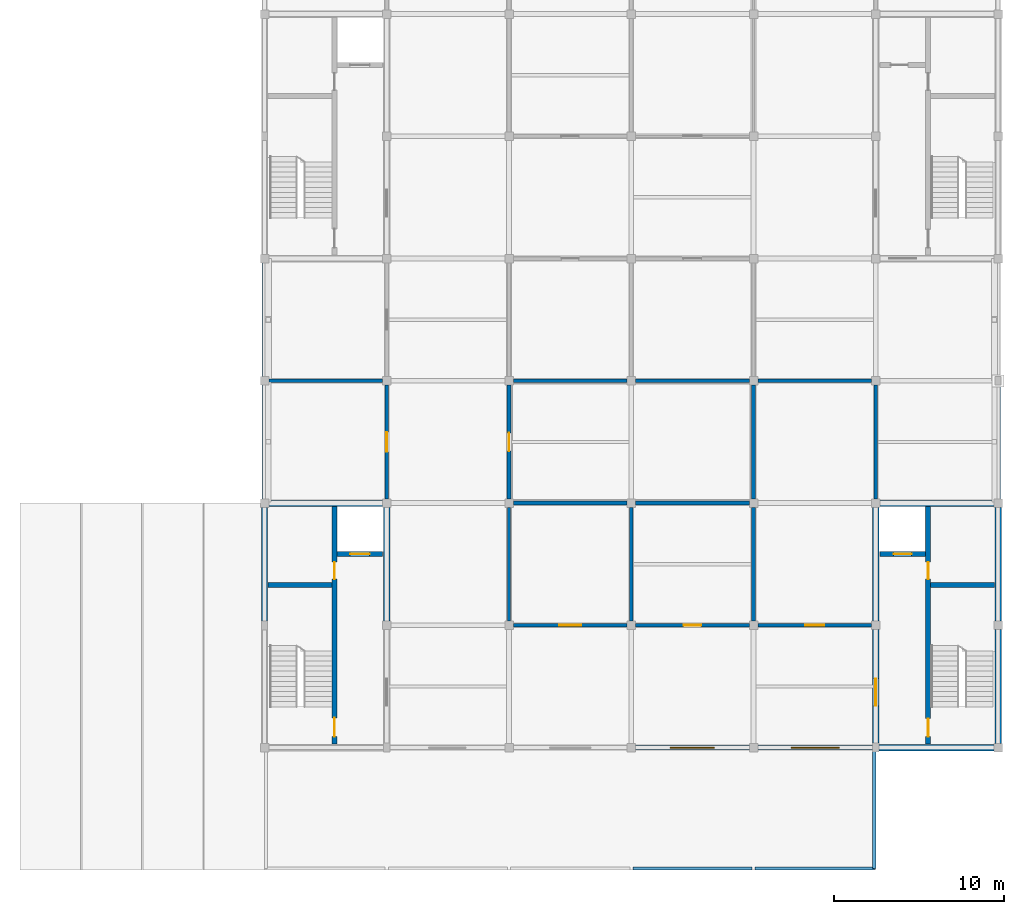
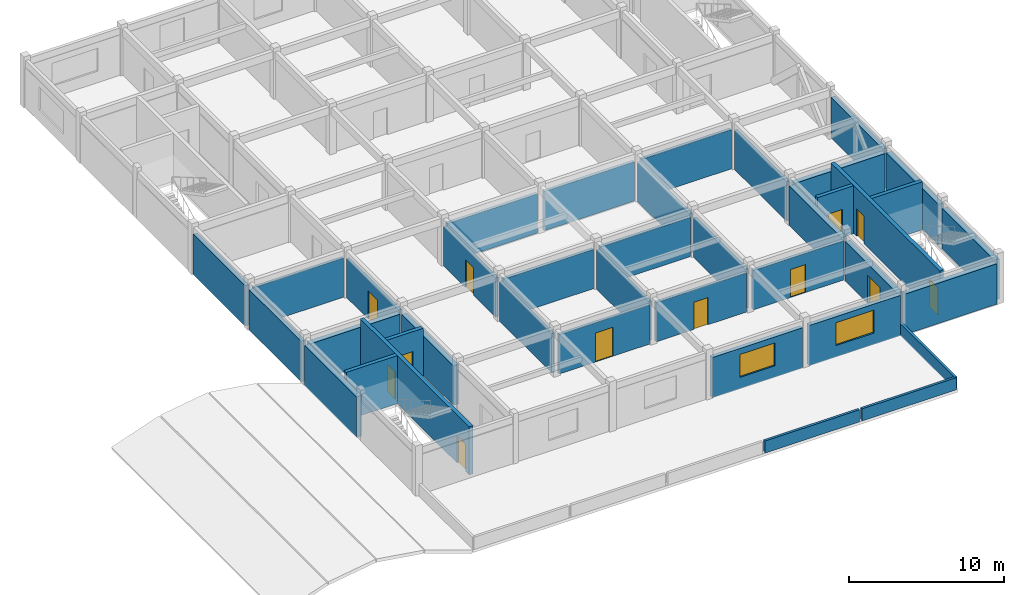
# One storey, part 3 of 6: 39 walls, 12 doors, 2 windows, 14 openings.
"""IFC4 building model written with IfcOpenShell, lengths in metres."""

from ifc_helpers import new_model, si_unit, direction, frame, frame_2d, origin, place, context, subcontext, project, spatial, rectangle, extrude, material, layer, layer_set, type_object, element, fill, save


model = new_model("IFC4")

# Units and contexts
model_context = context("Model", 3, precision=1e-05, world=origin(), true_north=direction((0.0, 1.0)))
body_context = subcontext(model_context, "Body", "Model", "MODEL_VIEW")
ifc_project = project(units=[si_unit("LENGTHUNIT", "METRE"), si_unit("AREAUNIT", "SQUARE_METRE"), si_unit("VOLUMEUNIT", "CUBIC_METRE"), si_unit("PLANEANGLEUNIT", "RADIAN"), si_unit("MASSUNIT", "GRAM", prefix="KILO")], contexts=[model_context])

# Site, building, storey
site_placement = place(None, origin())
site = spatial("IfcSite", under=ifc_project, at=site_placement, CompositionType="ELEMENT")
building_placement = place(site_placement, origin())
building = spatial("IfcBuilding", under=site, at=building_placement, Name="Cendaluz Park School", CompositionType="ELEMENT")
storey_placement = place(building_placement, frame((0.0, 0.0, 55.0)))
storey = spatial("IfcBuildingStorey", under=building, at=storey_placement, Name="L13", CompositionType="ELEMENT", Elevation=55.0)

# Wall
ifc_material_1 = material(Name="Gypsum Plasterboard on Cold-Formed Stud", Category="gypsum")
ifc_layer_1 = layer(ifc_material_1, 0.199951171875)
ifc_layer_set_1 = layer_set([ifc_layer_1], Name="Gypsum Plasterboard on Cold-Formed Stud")
wall_type_1 = type_object("IfcWallType", Name="W-AC20", PredefinedType="PARTITIONING", material=ifc_layer_set_1)
wall_1_placement = place(storey_placement, frame((65.050048828125, 36.0, 0.0), z_axis=(0.0, 0.0, 1.0), x_axis=(1.0, 0.0, 0.0)))
element("IfcWall", 1, at=wall_1_placement, inside=storey, type_object=wall_type_1, Name="WL-FN-BK9", PredefinedType="PARTITIONING", context=body_context, shape_type="SweptSolid", body=[
    extrude(rectangle(XDim=6.699951171875, YDim=0.199951171875, at=frame_2d((3.35009765625, 0.0))), origin(), (0.0, 0.0, 1.0), 3.090087890625),
])

# Wall, opening, door
wall_2_placement = place(storey_placement, frame((72.0, 29.050048828125, 0.0), z_axis=(0.0, 0.0, 1.0), x_axis=(0.0, 1.0, 0.0)))
wall_2 = element("IfcWall", 2, at=wall_2_placement, inside=storey, type_object=wall_type_1, Name="WL-FN-BL0", PredefinedType="PARTITIONING", context=body_context, shape_type="SweptSolid", body=[
    extrude(rectangle(XDim=6.699951171875, YDim=0.199951171875, at=frame_2d((3.35009765625, 0.0))), origin(), (0.0, 0.0, 1.0), 3.090087890625),
])
opening_1_placement = place(wall_2_placement, frame((2.77001953125, 0.0, 0.0)))
opening_1 = element("IfcOpeningElement", 3, at=opening_1_placement, cuts=wall_2, Name="Opening DCL-07", PredefinedType="OPENING", context=body_context, shape_type="SweptSolid", body=[
    extrude(rectangle(XDim=1.159912109375, YDim=2.219970703125, at=frame_2d((0.580078125, 1.10986328125))), frame((0.0, 0.112060546875, 0.0), z_axis=(0.0, -1.0, 0.0), x_axis=(1.0, 0.0, 0.0)), (0.0, 0.0, 1.0), 0.223876953125),
])
ifc_material_2 = material(Name="Solid Core Hardwood", Category="wood")
door_type_1 = type_object("IfcDoorType", Name="DCL-07", OperationType="NOTDEFINED", PredefinedType="DOOR", material=ifc_material_2)
door_1_placement = place(opening_1_placement, origin())
door_1 = element("IfcDoor", 4, at=door_1_placement, inside=storey, type_object=door_type_1, Name="D-L13-020", OperationType="SINGLE_SWING_LEFT", OverallHeight=2.219970703125, OverallWidth=1.159912109375, PredefinedType="DOOR", context=body_context, shape_type="SweptSolid", body=[
    extrude(rectangle(XDim=1.159912109375, YDim=2.219970703125, at=frame_2d((0.580078125, 1.10986328125))), frame((0.0, 0.02490234375, 0.0), z_axis=(0.0, -1.0, 0.0), x_axis=(1.0, 0.0, 0.0)), (0.0, 0.0, 1.0), 0.050048828125),
])
fill(opening_1, door_1)

wall_3_placement = place(storey_placement, frame((79.449951171875, 21.60009765625, 0.0), z_axis=(0.0, 0.0, 1.0), x_axis=(1.0, 0.0, 0.0)))
wall_3 = element("IfcWall", 5, at=wall_3_placement, inside=storey, type_object=wall_type_1, Name="WL-FN-BL3", PredefinedType="PARTITIONING", context=body_context, shape_type="SweptSolid", body=[
    extrude(rectangle(XDim=6.699951171875, YDim=0.199951171875, at=frame_2d((3.35009765625, 0.0))), origin(), (0.0, 0.0, 1.0), 3.090087890625),
])
opening_2_placement = place(wall_3_placement, frame((2.7099609375, 0.0, 0.0)))
opening_2 = element("IfcOpeningElement", 6, at=opening_2_placement, cuts=wall_3, Name="Opening DCL-10", PredefinedType="OPENING", context=body_context, shape_type="SweptSolid", body=[
    extrude(rectangle(XDim=1.280029296875, YDim=2.280029296875, at=frame_2d((0.64013671875, 1.14013671875))), frame((0.0, 0.112060546875, 0.0), z_axis=(0.0, -1.0, 0.0), x_axis=(1.0, 0.0, 0.0)), (0.0, 0.0, 1.0), 0.223876953125),
])
door_type_2 = type_object("IfcDoorType", Name="DCL-10", OperationType="NOTDEFINED", PredefinedType="DOOR", material=ifc_material_2)
door_2_placement = place(opening_2_placement, origin())
door_2 = element("IfcDoor", 7, at=door_2_placement, inside=storey, type_object=door_type_2, Name="D-L13-023", OperationType="SINGLE_SWING_RIGHT", OverallHeight=2.280029296875, OverallWidth=1.280029296875, PredefinedType="DOOR", context=body_context, shape_type="SweptSolid", body=[
    extrude(rectangle(XDim=1.280029296875, YDim=2.280029296875, at=frame_2d((0.64013671875, 1.14013671875))), frame((0.0, 0.02490234375, 0.0), z_axis=(0.0, -1.0, 0.0), x_axis=(1.0, 0.0, 0.0)), (0.0, 0.0, 1.0), 0.050048828125),
])
fill(opening_2, door_2)

# Walls
for number, where, z_axis, x_axis, name in (
    (8, (79.199951171875, 21.85009765625, 0.0), (0.0, 0.0, 1.0), (0.0, 1.0, 0.0), "WL-FN-BL4"),
    (9, (86.39990234375, 21.85009765625, 0.0), (0.0, 0.0, 1.0), (0.0, 1.0, 0.0), "WL-FN-BL5"),
):
    element("IfcWall", number, at=place(storey_placement, frame(where, z_axis=z_axis, x_axis=x_axis)), inside=storey, type_object=wall_type_1, Name=name, PredefinedType="PARTITIONING", context=body_context, shape_type="SweptSolid", body=[
        extrude(rectangle(XDim=6.699951171875, YDim=0.199951171875, at=frame_2d((3.35009765625, 0.0))), origin(), (0.0, 0.0, 1.0), 3.090087890625),
    ])

# Wall, opening, door
wall_4_placement = place(storey_placement, frame((86.64990234375, 21.60009765625, 0.0), z_axis=(0.0, 0.0, 1.0), x_axis=(1.0, 0.0, 0.0)))
wall_4 = element("IfcWall", 10, at=wall_4_placement, inside=storey, type_object=wall_type_1, Name="WL-FN-BM4", PredefinedType="PARTITIONING", context=body_context, shape_type="SweptSolid", body=[
    extrude(rectangle(XDim=6.7001953125, YDim=0.199951171875, at=frame_2d((3.35009765625, 0.0))), origin(), (0.0, 0.0, 1.0), 3.090087890625),
])
opening_3_placement = place(wall_4_placement, frame((2.830078125, 0.0, 0.0)))
opening_3 = element("IfcOpeningElement", 11, at=opening_3_placement, cuts=wall_4, Name="Opening DCL-03", PredefinedType="OPENING", context=body_context, shape_type="SweptSolid", body=[
    extrude(rectangle(XDim=1.0400390625, YDim=2.139892578125, at=frame_2d((0.52001953125, 1.06982421875))), frame((0.0, 0.112060546875, 0.0), z_axis=(0.0, -1.0, 0.0), x_axis=(1.0, 0.0, 0.0)), (0.0, 0.0, 1.0), 0.223876953125),
])
door_type_3 = type_object("IfcDoorType", Name="DCL-03", OperationType="NOTDEFINED", PredefinedType="DOOR", material=ifc_material_2)
door_3_placement = place(opening_3_placement, origin())
door_3 = element("IfcDoor", 12, at=door_3_placement, inside=storey, type_object=door_type_3, Name="D-L13-026", OperationType="SINGLE_SWING_LEFT", OverallHeight=2.139892578125, OverallWidth=1.0400390625, PredefinedType="DOOR", context=body_context, shape_type="SweptSolid", body=[
    extrude(rectangle(XDim=1.0400390625, YDim=2.139892578125, at=frame_2d((0.52001953125, 1.06982421875))), frame((0.0, 0.02490234375, 0.0), z_axis=(0.0, -1.0, 0.0), x_axis=(1.0, 0.0, 0.0)), (0.0, 0.0, 1.0), 0.050048828125),
])
fill(opening_3, door_3)

# Walls
ifc_material_3 = material(Name="Cross-laminated timber CLT C24", Category="wood")
ifc_layer_2 = layer(ifc_material_3, 0.300048828125)
ifc_layer_set_2 = layer_set([ifc_layer_2], Name="Cross-laminated timber CLT C24")
wall_type_2 = type_object("IfcWallType", Name="W-EX30", PredefinedType="SOLIDWALL", material=ifc_layer_set_2)
for number, where, z_axis, x_axis, name in (
    (13, (64.800048828125, 29.050048828125, 0.0), (0.0, 0.0, 1.0), (0.0, 1.0, 0.0), "WL-FN-AA0"),
    (14, (64.800048828125, 36.25, 0.0), (0.0, 0.0, 1.0), (0.0, 1.0, 0.0), "WL-FN-AA1"),
):
    element("IfcWall", number, at=place(storey_placement, frame(where, z_axis=z_axis, x_axis=x_axis)), inside=storey, type_object=wall_type_2, Name=name, PredefinedType="SOLIDWALL", context=body_context, shape_type="SweptSolid", body=[
        extrude(rectangle(XDim=6.699951171875, YDim=0.300048828125, at=frame_2d((3.35009765625, 0.0))), origin(), (0.0, 0.0, 1.0), 3.169921875),
    ])

# Wall, opening, window
wall_5_placement = place(storey_placement, frame((86.64990234375, 14.39990234375, 0.0), z_axis=(0.0, 0.0, 1.0), x_axis=(1.0, 0.0, 0.0)))
wall_5 = element("IfcWall", 15, at=wall_5_placement, inside=storey, type_object=wall_type_2, Name="WL-FN-AA8", PredefinedType="SOLIDWALL", context=body_context, shape_type="SweptSolid", body=[
    extrude(rectangle(XDim=6.7001953125, YDim=0.300048828125, at=frame_2d((3.35009765625, 0.0))), origin(), (0.0, 0.0, 1.0), 3.169921875),
])
opening_4_placement = place(wall_5_placement, frame((2.050048828125, 0.0, 0.89990234375)))
opening_4 = element("IfcOpeningElement", 16, at=opening_4_placement, cuts=wall_5, Name="Opening WN-05", PredefinedType="OPENING", context=body_context, shape_type="SweptSolid", body=[
    extrude(rectangle(XDim=2.60009765625, YDim=1.800048828125, at=frame_2d((1.300048828125, 0.89990234375))), frame((0.0, 0.162109375, 0.0), z_axis=(0.0, -1.0, 0.0), x_axis=(1.0, 0.0, 0.0)), (0.0, 0.0, 1.0), 0.323974609375),
])
ifc_material_4 = material(Name="Tempered Low-E Double Glazing", Category="glass")
window_type_1 = type_object("IfcWindowType", Name="WN-05", PartitioningType="SINGLE_PANEL", PredefinedType="WINDOW", material=ifc_material_4)
window_1_placement = place(opening_4_placement, origin())
window_1 = element("IfcWindow", 17, at=window_1_placement, inside=storey, type_object=window_type_1, Name="WN-L13-007", OverallHeight=1.800048828125, OverallWidth=2.60009765625, PartitioningType="SINGLE_PANEL", PredefinedType="WINDOW", context=body_context, shape_type="SweptSolid", body=[
    extrude(rectangle(XDim=2.60009765625, YDim=1.800048828125, at=frame_2d((1.300048828125, 0.89990234375))), frame((0.0, 0.030029296875, 0.0), z_axis=(0.0, -1.0, 0.0), x_axis=(1.0, 0.0, 0.0)), (0.0, 0.0, 1.0), 0.06005859375),
])
fill(opening_4, window_1)

wall_6_placement = place(storey_placement, frame((93.85009765625, 14.39990234375, 0.0), z_axis=(0.0, 0.0, 1.0), x_axis=(1.0, 0.0, 0.0)))
wall_6 = element("IfcWall", 18, at=wall_6_placement, inside=storey, type_object=wall_type_2, Name="WL-FN-AB0", PredefinedType="SOLIDWALL", context=body_context, shape_type="SweptSolid", body=[
    extrude(rectangle(XDim=6.77001953125, YDim=0.300048828125, at=frame_2d((3.385009765625, 0.0))), origin(), (0.0, 0.0, 1.0), 3.169921875),
])
opening_5_placement = place(wall_6_placement, frame((1.985107421875, 0.0, 0.89990234375)))
opening_5 = element("IfcOpeningElement", 19, at=opening_5_placement, cuts=wall_6, Name="Opening WN-06", PredefinedType="OPENING", context=body_context, shape_type="SweptSolid", body=[
    extrude(rectangle(XDim=2.800048828125, YDim=1.800048828125, at=frame_2d((1.39990234375, 0.89990234375))), frame((0.0, 0.162109375, 0.0), z_axis=(0.0, -1.0, 0.0), x_axis=(1.0, 0.0, 0.0)), (0.0, 0.0, 1.0), 0.323974609375),
])
window_type_2 = type_object("IfcWindowType", Name="WN-06", PartitioningType="SINGLE_PANEL", PredefinedType="WINDOW", material=ifc_material_4)
window_2_placement = place(opening_5_placement, origin())
window_2 = element("IfcWindow", 20, at=window_2_placement, inside=storey, type_object=window_type_2, Name="WN-L13-009", OverallHeight=1.800048828125, OverallWidth=2.800048828125, PartitioningType="SINGLE_PANEL", PredefinedType="WINDOW", context=body_context, shape_type="SweptSolid", body=[
    extrude(rectangle(XDim=2.800048828125, YDim=1.800048828125, at=frame_2d((1.39990234375, 0.89990234375))), frame((0.0, 0.030029296875, 0.0), z_axis=(0.0, -1.0, 0.0), x_axis=(1.0, 0.0, 0.0)), (0.0, 0.0, 1.0), 0.06005859375),
])
fill(opening_5, window_2)

# Wall
wall_7_placement = place(storey_placement, frame((108.0, 29.050048828125, 0.0), z_axis=(0.0, 0.0, 1.0), x_axis=(0.0, 1.0, 0.0)))
element("IfcWall", 21, at=wall_7_placement, inside=storey, type_object=wall_type_2, Name="WL-FN-AB2", PredefinedType="SOLIDWALL", context=body_context, shape_type="SweptSolid", body=[
    extrude(rectangle(XDim=6.68994140625, YDim=0.300048828125, at=frame_2d((3.344970703125, 0.0))), origin(), (0.0, 0.0, 1.0), 3.169921875),
])

# Wall, openings, doors
ifc_material_5 = material(Name="Concrete C40/50", Category="concrete")
ifc_layer_3 = layer(ifc_material_5, 0.280029296875)
ifc_layer_set_3 = layer_set([ifc_layer_3], Name="Concrete C40/50")
wall_type_3 = type_object("IfcWallType", Name="W-FW28", PredefinedType="SHEAR", material=ifc_layer_set_3)
wall_8_placement = place(storey_placement, frame((68.919921875, 14.60009765625, 0.0), z_axis=(0.0, 0.0, 1.0), x_axis=(0.0, 1.0, 0.0)))
wall_8 = element("IfcWall", 22, at=wall_8_placement, inside=storey, type_object=wall_type_3, Name="WL-FN-BG9", PredefinedType="SHEAR", context=body_context, shape_type="SweptSolid", body=[
    extrude(rectangle(XDim=14.0, YDim=0.280029296875, at=frame_2d((7.0, 0.0))), origin(), (0.0, 0.0, 1.0), 3.77001953125),
])
opening_6_placement = place(wall_8_placement, frame((0.449951171875, 0.0, 0.0)))
opening_6 = element("IfcOpeningElement", 23, at=opening_6_placement, cuts=wall_8, Name="Opening DST-01", PredefinedType="OPENING", context=body_context, shape_type="SweptSolid", body=[
    extrude(rectangle(XDim=1.10009765625, YDim=2.14990234375, at=frame_2d((0.550048828125, 1.074951171875))), frame((0.0, 0.152099609375, 0.0), z_axis=(0.0, -1.0, 0.0), x_axis=(1.0, 0.0, 0.0)), (0.0, 0.0, 1.0), 0.303955078125),
])
opening_7_placement = place(wall_8_placement, frame((9.719970703125, 0.0, 0.0)))
opening_7 = element("IfcOpeningElement", 24, at=opening_7_placement, cuts=wall_8, Name="Opening DFC-01", PredefinedType="OPENING", context=body_context, shape_type="SweptSolid", body=[
    extrude(rectangle(XDim=1.0, YDim=2.14990234375, at=frame_2d((0.5, 1.074951171875))), frame((0.0, 0.152099609375, 0.0), z_axis=(0.0, -1.0, 0.0), x_axis=(1.0, 0.0, 0.0)), (0.0, 0.0, 1.0), 0.303955078125),
])
door_type_4 = type_object("IfcDoorType", Name="DFC-01", OperationType="NOTDEFINED", PredefinedType="DOOR", material=ifc_material_2)
door_4_placement = place(opening_7_placement, origin())
door_4 = element("IfcDoor", 25, at=door_4_placement, inside=storey, type_object=door_type_4, Name="D-L13-003", OperationType="SINGLE_SWING_LEFT", OverallHeight=2.14990234375, OverallWidth=1.0, PredefinedType="DOOR", context=body_context, shape_type="SweptSolid", body=[
    extrude(rectangle(XDim=1.0, YDim=2.14990234375, at=frame_2d((0.5, 1.074951171875))), frame((0.0, 0.02490234375, 0.0), z_axis=(0.0, -1.0, 0.0), x_axis=(1.0, 0.0, 0.0)), (0.0, 0.0, 1.0), 0.050048828125),
])
fill(opening_7, door_4)
door_type_5 = type_object("IfcDoorType", Name="DST-01", OperationType="NOTDEFINED", PredefinedType="DOOR", material=ifc_material_2)
door_5_placement = place(opening_6_placement, origin())
door_5 = element("IfcDoor", 26, at=door_5_placement, inside=storey, type_object=door_type_5, Name="D-L13-002", OperationType="SINGLE_SWING_LEFT", OverallHeight=2.14990234375, OverallWidth=1.10009765625, PredefinedType="DOOR", context=body_context, shape_type="SweptSolid", body=[
    extrude(rectangle(XDim=1.10009765625, YDim=2.14990234375, at=frame_2d((0.550048828125, 1.074951171875))), frame((0.0, 0.02490234375, 0.0), z_axis=(0.0, -1.0, 0.0), x_axis=(1.0, 0.0, 0.0)), (0.0, 0.0, 1.0), 0.050048828125),
])
fill(opening_6, door_5)

# Wall
wall_9_placement = place(storey_placement, frame((65.0, 23.97998046875, 0.0), z_axis=(0.0, 0.0, 1.0), x_axis=(1.0, 0.0, 0.0)))
element("IfcWall", 27, at=wall_9_placement, inside=storey, type_object=wall_type_3, Name="WL-FN-BH0", PredefinedType="SHEAR", context=body_context, shape_type="SweptSolid", body=[
    extrude(rectangle(XDim=3.780029296875, YDim=0.280029296875, at=frame_2d((1.89013671875, 0.0))), origin(), (0.0, 0.0, 1.0), 3.77001953125),
])

# Wall, opening, door
wall_10_placement = place(storey_placement, frame((69.080078125, 25.800048828125, 0.0), z_axis=(0.0, 0.0, 1.0), x_axis=(1.0, 0.0, 0.0)))
wall_10 = element("IfcWall", 28, at=wall_10_placement, inside=storey, type_object=wall_type_3, Name="WL-FN-BH1", PredefinedType="SHEAR", context=body_context, shape_type="SweptSolid", body=[
    extrude(rectangle(XDim=2.679931640625, YDim=0.280029296875, at=frame_2d((1.33984375, 0.0))), origin(), (0.0, 0.0, 1.0), 3.77001953125),
])
opening_8_placement = place(wall_10_placement, frame((0.764892578125, 0.0, 0.0)))
opening_8 = element("IfcOpeningElement", 29, at=opening_8_placement, cuts=wall_10, Name="Opening LD-01", PredefinedType="OPENING", context=body_context, shape_type="SweptSolid", body=[
    extrude(rectangle(XDim=1.14990234375, YDim=2.199951171875, at=frame_2d((0.574951171875, 1.10009765625))), frame((0.0, 0.152099609375, 0.0), z_axis=(0.0, -1.0, 0.0), x_axis=(1.0, 0.0, 0.0)), (0.0, 0.0, 1.0), 0.303955078125),
])
ifc_material_6 = material(Name="Stainless Steel 316L", Category="steel")
door_type_6 = type_object("IfcDoorType", Name="LD-01", OperationType="DOUBLE_DOOR_SLIDING", PredefinedType="DOOR", material=ifc_material_6)
door_6_placement = place(opening_8_placement, frame((1.14990234375, 0.0, 0.0), z_axis=(0.0, 0.0, 1.0), x_axis=(-1.0, 0.0, 0.0)))
door_6 = element("IfcDoor", 30, at=door_6_placement, inside=storey, type_object=door_type_6, Name="D-L13-004", OperationType="DOUBLE_DOOR_SLIDING", OverallHeight=2.199951171875, OverallWidth=1.14990234375, PredefinedType="DOOR", context=body_context, shape_type="SweptSolid", body=[
    extrude(rectangle(XDim=1.14990234375, YDim=2.199951171875, at=frame_2d((0.574951171875, 1.10009765625))), frame((0.0, 0.02490234375, 0.0), z_axis=(0.0, -1.0, 0.0), x_axis=(1.0, 0.0, 0.0)), (0.0, 0.0, 1.0), 0.050048828125),
])
fill(opening_8, door_6)

# Wall, openings, doors
wall_11_placement = place(storey_placement, frame((103.8798828125, 14.60009765625, 0.0), z_axis=(0.0, 0.0, 1.0), x_axis=(0.0, 1.0, 0.0)))
wall_11 = element("IfcWall", 31, at=wall_11_placement, inside=storey, type_object=wall_type_3, Name="WL-FN-BH8", PredefinedType="SHEAR", context=body_context, shape_type="SweptSolid", body=[
    extrude(rectangle(XDim=14.0, YDim=0.280029296875, at=frame_2d((7.0, 0.0))), origin(), (0.0, 0.0, 1.0), 3.77001953125),
])
opening_9_placement = place(wall_11_placement, frame((0.449951171875, 0.0, 0.0)))
opening_9 = element("IfcOpeningElement", 32, at=opening_9_placement, cuts=wall_11, Name="Opening DST-02", PredefinedType="OPENING", context=body_context, shape_type="SweptSolid", body=[
    extrude(rectangle(XDim=1.050048828125, YDim=2.14990234375, at=frame_2d((0.52490234375, 1.074951171875))), frame((0.0, 0.152099609375, 0.0), z_axis=(0.0, -1.0, 0.0), x_axis=(1.0, 0.0, 0.0)), (0.0, 0.0, 1.0), 0.303955078125),
])
opening_10_placement = place(wall_11_placement, frame((9.719970703125, 0.0, 0.0)))
opening_10 = element("IfcOpeningElement", 33, at=opening_10_placement, cuts=wall_11, Name="Opening DFC-01", PredefinedType="OPENING", context=body_context, shape_type="SweptSolid", body=[
    extrude(rectangle(XDim=1.0, YDim=2.14990234375, at=frame_2d((0.5, 1.074951171875))), frame((0.0, 0.152099609375, 0.0), z_axis=(0.0, -1.0, 0.0), x_axis=(1.0, 0.0, 0.0)), (0.0, 0.0, 1.0), 0.303955078125),
])
door_7_placement = place(opening_10_placement, frame((1.0, 0.0, 0.0), z_axis=(0.0, 0.0, 1.0), x_axis=(-1.0, 0.0, 0.0)))
door_7 = element("IfcDoor", 34, at=door_7_placement, inside=storey, type_object=door_type_4, Name="D-L13-007", OperationType="SINGLE_SWING_LEFT", OverallHeight=2.14990234375, OverallWidth=1.0, PredefinedType="DOOR", context=body_context, shape_type="SweptSolid", body=[
    extrude(rectangle(XDim=1.0, YDim=2.14990234375, at=frame_2d((0.5, 1.074951171875))), frame((0.0, 0.02490234375, 0.0), z_axis=(0.0, -1.0, 0.0), x_axis=(1.0, 0.0, 0.0)), (0.0, 0.0, 1.0), 0.050048828125),
])
fill(opening_10, door_7)
door_type_7 = type_object("IfcDoorType", Name="DST-02", OperationType="NOTDEFINED", PredefinedType="DOOR", material=ifc_material_2)
door_8_placement = place(opening_9_placement, frame((1.050048828125, 0.0, 0.0), z_axis=(0.0, 0.0, 1.0), x_axis=(-1.0, 0.0, 0.0)))
door_8 = element("IfcDoor", 35, at=door_8_placement, inside=storey, type_object=door_type_7, Name="D-L13-006", OperationType="SINGLE_SWING_RIGHT", OverallHeight=2.14990234375, OverallWidth=1.050048828125, PredefinedType="DOOR", context=body_context, shape_type="SweptSolid", body=[
    extrude(rectangle(XDim=1.050048828125, YDim=2.14990234375, at=frame_2d((0.52490234375, 1.074951171875))), frame((0.0, 0.02490234375, 0.0), z_axis=(0.0, -1.0, 0.0), x_axis=(1.0, 0.0, 0.0)), (0.0, 0.0, 1.0), 0.050048828125),
])
fill(opening_9, door_8)

# Wall
wall_12_placement = place(storey_placement, frame((104.02001953125, 23.97998046875, 0.0), z_axis=(0.0, 0.0, 1.0), x_axis=(1.0, 0.0, 0.0)))
element("IfcWall", 36, at=wall_12_placement, inside=storey, type_object=wall_type_3, Name="WL-FN-BH9", PredefinedType="SHEAR", context=body_context, shape_type="SweptSolid", body=[
    extrude(rectangle(XDim=3.780029296875, YDim=0.280029296875, at=frame_2d((1.89013671875, 0.0))), origin(), (0.0, 0.0, 1.0), 3.77001953125),
])

# Wall, opening, door
wall_13_placement = place(storey_placement, frame((101.0400390625, 25.800048828125, 0.0), z_axis=(0.0, 0.0, 1.0), x_axis=(1.0, 0.0, 0.0)))
wall_13 = element("IfcWall", 37, at=wall_13_placement, inside=storey, type_object=wall_type_3, Name="WL-FN-BI0", PredefinedType="SHEAR", context=body_context, shape_type="SweptSolid", body=[
    extrude(rectangle(XDim=2.679931640625, YDim=0.280029296875, at=frame_2d((1.33984375, 0.0))), origin(), (0.0, 0.0, 1.0), 3.77001953125),
])
opening_11_placement = place(wall_13_placement, frame((0.81494140625, 0.0, 0.0)))
opening_11 = element("IfcOpeningElement", 38, at=opening_11_placement, cuts=wall_13, Name="Opening LD-02", PredefinedType="OPENING", context=body_context, shape_type="SweptSolid", body=[
    extrude(rectangle(XDim=1.050048828125, YDim=2.199951171875, at=frame_2d((0.52490234375, 1.10009765625))), frame((0.0, 0.152099609375, 0.0), z_axis=(0.0, -1.0, 0.0), x_axis=(1.0, 0.0, 0.0)), (0.0, 0.0, 1.0), 0.303955078125),
])
door_type_8 = type_object("IfcDoorType", Name="LD-02", OperationType="DOUBLE_DOOR_SLIDING", PredefinedType="DOOR", material=ifc_material_6)
door_9_placement = place(opening_11_placement, frame((1.050048828125, 0.0, 0.0), z_axis=(0.0, 0.0, 1.0), x_axis=(-1.0, 0.0, 0.0)))
door_9 = element("IfcDoor", 39, at=door_9_placement, inside=storey, type_object=door_type_8, Name="D-L13-008", OperationType="DOUBLE_DOOR_SLIDING", OverallHeight=2.199951171875, OverallWidth=1.050048828125, PredefinedType="DOOR", context=body_context, shape_type="SweptSolid", body=[
    extrude(rectangle(XDim=1.050048828125, YDim=2.199951171875, at=frame_2d((0.52490234375, 1.10009765625))), frame((0.0, 0.02490234375, 0.0), z_axis=(0.0, -1.0, 0.0), x_axis=(1.0, 0.0, 0.0)), (0.0, 0.0, 1.0), 0.050048828125),
])
fill(opening_11, door_9)

# Walls
ifc_layer_4 = layer(ifc_material_1, 0.219970703125)
ifc_layer_set_4 = layer_set([ifc_layer_4], Name="Gypsum Plasterboard on Cold-Formed Stud")
wall_type_4 = type_object("IfcWallType", Name="W-LB22", PredefinedType="PARTITIONING", material=ifc_layer_set_4)
for number, where, z_axis, x_axis, name in (
    (40, (79.449951171875, 28.800048828125, 0.0), (0.0, 0.0, 1.0), (1.0, 0.0, 0.0), "WL-FN-BJ9"),
    (41, (79.449951171875, 36.0, 0.0), (0.0, 0.0, 1.0), (1.0, 0.0, 0.0), "WL-FN-BK0"),
):
    element("IfcWall", number, at=place(storey_placement, frame(where, z_axis=z_axis, x_axis=x_axis)), inside=storey, type_object=wall_type_4, Name=name, PredefinedType="PARTITIONING", context=body_context, shape_type="SweptSolid", body=[
        extrude(rectangle(XDim=6.699951171875, YDim=0.219970703125, at=frame_2d((3.35009765625, 0.0))), origin(), (0.0, 0.0, 1.0), 3.090087890625),
    ])

# Wall, opening, door
wall_14_placement = place(storey_placement, frame((79.199951171875, 29.050048828125, 0.0), z_axis=(0.0, 0.0, 1.0), x_axis=(0.0, 1.0, 0.0)))
wall_14 = element("IfcWall", 42, at=wall_14_placement, inside=storey, type_object=wall_type_4, Name="WL-FN-BK1", PredefinedType="PARTITIONING", context=body_context, shape_type="SweptSolid", body=[
    extrude(rectangle(XDim=6.699951171875, YDim=0.219970703125, at=frame_2d((3.35009765625, 0.0))), origin(), (0.0, 0.0, 1.0), 3.090087890625),
])
opening_12_placement = place(wall_14_placement, frame((2.81005859375, 0.0, 0.0)))
opening_12 = element("IfcOpeningElement", 43, at=opening_12_placement, cuts=wall_14, Name="Opening DCL-05", PredefinedType="OPENING", context=body_context, shape_type="SweptSolid", body=[
    extrude(rectangle(XDim=1.080078125, YDim=2.179931640625, at=frame_2d((0.5400390625, 1.08984375))), frame((0.0, 0.1220703125, 0.0), z_axis=(0.0, -1.0, 0.0), x_axis=(1.0, 0.0, 0.0)), (0.0, 0.0, 1.0), 0.243896484375),
])
door_type_9 = type_object("IfcDoorType", Name="DCL-05", OperationType="NOTDEFINED", PredefinedType="DOOR", material=ifc_material_2)
door_10_placement = place(opening_12_placement, origin())
door_10 = element("IfcDoor", 44, at=door_10_placement, inside=storey, type_object=door_type_9, Name="D-L13-018", OperationType="SINGLE_SWING_LEFT", OverallHeight=2.179931640625, OverallWidth=1.080078125, PredefinedType="DOOR", context=body_context, shape_type="SweptSolid", body=[
    extrude(rectangle(XDim=1.080078125, YDim=2.179931640625, at=frame_2d((0.5400390625, 1.08984375))), frame((0.0, 0.02490234375, 0.0), z_axis=(0.0, -1.0, 0.0), x_axis=(1.0, 0.0, 0.0)), (0.0, 0.0, 1.0), 0.050048828125),
])
fill(opening_12, door_10)

# Walls
for number, where, z_axis, x_axis, name in (
    (45, (86.64990234375, 28.800048828125, 0.0), (0.0, 0.0, 1.0), (1.0, 0.0, 0.0), "WL-FN-BK2"),
    (46, (86.64990234375, 36.0, 0.0), (0.0, 0.0, 1.0), (1.0, 0.0, 0.0), "WL-FN-BK3"),
):
    element("IfcWall", number, at=place(storey_placement, frame(where, z_axis=z_axis, x_axis=x_axis)), inside=storey, type_object=wall_type_4, Name=name, PredefinedType="PARTITIONING", context=body_context, shape_type="SweptSolid", body=[
        extrude(rectangle(XDim=6.7001953125, YDim=0.219970703125, at=frame_2d((3.35009765625, 0.0))), origin(), (0.0, 0.0, 1.0), 3.090087890625),
    ])
wall_15_placement = place(storey_placement, frame((93.60009765625, 29.050048828125, 0.0), z_axis=(0.0, 0.0, 1.0), x_axis=(0.0, 1.0, 0.0)))
element("IfcWall", 47, at=wall_15_placement, inside=storey, type_object=wall_type_4, Name="WL-FN-BK4", PredefinedType="PARTITIONING", context=body_context, shape_type="SweptSolid", body=[
    extrude(rectangle(XDim=6.699951171875, YDim=0.219970703125, at=frame_2d((3.35009765625, 0.0))), origin(), (0.0, 0.0, 1.0), 3.090087890625),
])

# Wall, opening, door
wall_16_placement = place(storey_placement, frame((93.85009765625, 21.60009765625, 0.0), z_axis=(0.0, 0.0, 1.0), x_axis=(1.0, 0.0, 0.0)))
wall_16 = element("IfcWall", 48, at=wall_16_placement, inside=storey, type_object=wall_type_4, Name="WL-FN-BK5", PredefinedType="PARTITIONING", context=body_context, shape_type="SweptSolid", body=[
    extrude(rectangle(XDim=6.699951171875, YDim=0.219970703125, at=frame_2d((3.35009765625, 0.0))), origin(), (0.0, 0.0, 1.0), 3.090087890625),
])
opening_13_placement = place(wall_16_placement, frame((2.7900390625, 0.0, 0.0)))
opening_13 = element("IfcOpeningElement", 49, at=opening_13_placement, cuts=wall_16, Name="Opening DCL-06", PredefinedType="OPENING", context=body_context, shape_type="SweptSolid", body=[
    extrude(rectangle(XDim=1.1201171875, YDim=2.199951171875, at=frame_2d((0.56005859375, 1.10009765625))), frame((0.0, 0.1220703125, 0.0), z_axis=(0.0, -1.0, 0.0), x_axis=(1.0, 0.0, 0.0)), (0.0, 0.0, 1.0), 0.243896484375),
])
door_type_10 = type_object("IfcDoorType", Name="DCL-06", OperationType="NOTDEFINED", PredefinedType="DOOR", material=ifc_material_2)
door_11_placement = place(opening_13_placement, frame((1.1201171875, 0.0, 0.0), z_axis=(0.0, 0.0, 1.0), x_axis=(-1.0, 0.0, 0.0)))
door_11 = element("IfcDoor", 50, at=door_11_placement, inside=storey, type_object=door_type_10, Name="D-L13-019", OperationType="SINGLE_SWING_RIGHT", OverallHeight=2.199951171875, OverallWidth=1.1201171875, PredefinedType="DOOR", context=body_context, shape_type="SweptSolid", body=[
    extrude(rectangle(XDim=1.1201171875, YDim=2.199951171875, at=frame_2d((0.56005859375, 1.10009765625))), frame((0.0, 0.02490234375, 0.0), z_axis=(0.0, -1.0, 0.0), x_axis=(1.0, 0.0, 0.0)), (0.0, 0.0, 1.0), 0.050048828125),
])
fill(opening_13, door_11)

# Walls
for number, where, z_axis, x_axis, name in (
    (51, (93.60009765625, 21.85009765625, 0.0), (0.0, 0.0, 1.0), (0.0, 1.0, 0.0), "WL-FN-BK6"),
    (52, (93.85009765625, 36.0, 0.0), (0.0, 0.0, 1.0), (1.0, 0.0, 0.0), "WL-FN-BK7"),
    (53, (100.800048828125, 29.050048828125, 0.0), (0.0, 0.0, 1.0), (0.0, 1.0, 0.0), "WL-FN-BK8"),
):
    element("IfcWall", number, at=place(storey_placement, frame(where, z_axis=z_axis, x_axis=x_axis)), inside=storey, type_object=wall_type_4, Name=name, PredefinedType="PARTITIONING", context=body_context, shape_type="SweptSolid", body=[
        extrude(rectangle(XDim=6.699951171875, YDim=0.219970703125, at=frame_2d((3.35009765625, 0.0))), origin(), (0.0, 0.0, 1.0), 3.090087890625),
    ])
ifc_material_7 = material(Name="Concrete C40/50 precast", Category="concrete")
ifc_layer_5 = layer(ifc_material_7, 0.179931640625)
ifc_layer_set_5 = layer_set([ifc_layer_5], Name="Concrete C40/50 precast")
wall_type_5 = type_object("IfcWallType", Name="W-PR18", PredefinedType="PARAPET", material=ifc_layer_set_5)
for number, where, z_axis, x_axis, name in (
    (54, (86.489990234375, 7.2900390625, 0.0), (0.0, 0.0, 1.0), (1.0, 0.0, 0.0), "WL-FN-AC0"),
    (55, (93.68994140625, 7.2900390625, 0.0), (0.0, 0.0, 1.0), (1.0, 0.0, 0.0), "WL-FN-AC1"),
    (56, (100.7099609375, 7.2900390625, 0.0), (0.0, 0.0, 1.0), (0.0, 1.0, 0.0), "WL-FN-AC2"),
):
    element("IfcWall", number, at=place(storey_placement, frame(where, z_axis=z_axis, x_axis=x_axis)), inside=storey, type_object=wall_type_5, Name=name, PredefinedType="PARAPET", context=body_context, shape_type="SweptSolid", body=[
        extrude(rectangle(XDim=7.02001953125, YDim=0.179931640625, at=frame_2d((3.510009765625, 0.0))), origin(), (0.0, 0.0, 1.0), 0.949951171875),
    ])
ifc_layer_6 = layer(ifc_material_5, 0.3798828125)
ifc_layer_set_6 = layer_set([ifc_layer_6], Name="Concrete C40/50")
wall_type_6 = type_object("IfcWallType", Name="W-SH38", PredefinedType="SHEAR", material=ifc_layer_set_6)
wall_17_placement = place(storey_placement, frame((64.800048828125, 21.860107421875, 0.0), z_axis=(0.0, 0.0, 1.0), x_axis=(0.0, 1.0, 0.0)))
element("IfcWall", 57, at=wall_17_placement, inside=storey, type_object=wall_type_6, Name="WL-FN-BG4", PredefinedType="SHEAR", context=body_context, shape_type="SweptSolid", body=[
    extrude(rectangle(XDim=6.68994140625, YDim=0.3798828125, at=frame_2d((3.344970703125, 0.0))), origin(), (0.0, 0.0, 1.0), 3.169921875),
])
for number, where, z_axis, x_axis, name in (
    (58, (72.0, 21.85009765625, 0.0), (0.0, 0.0, 1.0), (0.0, 1.0, 0.0), "WL-FN-BG6"),
    (59, (65.050048828125, 28.800048828125, 0.0), (0.0, 0.0, 1.0), (1.0, 0.0, 0.0), "WL-FN-BG8"),
):
    element("IfcWall", number, at=place(storey_placement, frame(where, z_axis=z_axis, x_axis=x_axis)), inside=storey, type_object=wall_type_6, Name=name, PredefinedType="SHEAR", context=body_context, shape_type="SweptSolid", body=[
        extrude(rectangle(XDim=6.699951171875, YDim=0.3798828125, at=frame_2d((3.35009765625, 0.0))), origin(), (0.0, 0.0, 1.0), 3.090087890625),
    ])

# Wall, opening, door
wall_18_placement = place(storey_placement, frame((100.800048828125, 14.659912109375, 0.0), z_axis=(0.0, 0.0, 1.0), x_axis=(0.0, 1.0, 0.0)))
wall_18 = element("IfcWall", 60, at=wall_18_placement, inside=storey, type_object=wall_type_6, Name="WL-FN-BH2", PredefinedType="SHEAR", context=body_context, shape_type="SweptSolid", body=[
    extrude(rectangle(XDim=6.690185546875, YDim=0.3798828125, at=frame_2d((3.34521484375, 0.0))), origin(), (0.0, 0.0, 1.0), 3.090087890625),
])
opening_14_placement = place(wall_18_placement, frame((2.199951171875, 0.0, 0.0)))
opening_14 = element("IfcOpeningElement", 61, at=opening_14_placement, cuts=wall_18, Name="Opening DLB-01", PredefinedType="OPENING", context=body_context, shape_type="SweptSolid", body=[
    extrude(rectangle(XDim=1.60009765625, YDim=2.199951171875, at=frame_2d((0.800048828125, 1.10009765625))), frame((0.0, 0.201904296875, 0.0), z_axis=(0.0, -1.0, 0.0), x_axis=(1.0, 0.0, 0.0)), (0.0, 0.0, 1.0), 0.40380859375),
])
door_type_11 = type_object("IfcDoorType", Name="DLB-01", OperationType="DOUBLE_DOOR_SINGLE_SWING", PredefinedType="DOOR", material=ifc_material_2)
door_12_placement = place(opening_14_placement, frame((1.60009765625, 0.0, 0.0), z_axis=(0.0, 0.0, 1.0), x_axis=(-1.0, 0.0, 0.0)))
door_12 = element("IfcDoor", 62, at=door_12_placement, inside=storey, type_object=door_type_11, Name="D-L13-005", OperationType="DOUBLE_DOOR_SINGLE_SWING", OverallHeight=2.199951171875, OverallWidth=1.60009765625, PredefinedType="DOOR", context=body_context, shape_type="SweptSolid", body=[
    extrude(rectangle(XDim=1.60009765625, YDim=2.199951171875, at=frame_2d((0.800048828125, 1.10009765625))), frame((0.0, 0.02490234375, 0.0), z_axis=(0.0, -1.0, 0.0), x_axis=(1.0, 0.0, 0.0)), (0.0, 0.0, 1.0), 0.050048828125),
])
fill(opening_14, door_12)

# Walls
wall_19_placement = place(storey_placement, frame((100.800048828125, 21.85009765625, 0.0), z_axis=(0.0, 0.0, 1.0), x_axis=(0.0, 1.0, 0.0)))
element("IfcWall", 63, at=wall_19_placement, inside=storey, type_object=wall_type_6, Name="WL-FN-BH3", PredefinedType="SHEAR", context=body_context, shape_type="SweptSolid", body=[
    extrude(rectangle(XDim=6.699951171875, YDim=0.3798828125, at=frame_2d((3.35009765625, 0.0))), origin(), (0.0, 0.0, 1.0), 3.090087890625),
])
wall_20_placement = place(storey_placement, frame((108.0, 14.64990234375, 0.0), z_axis=(0.0, 0.0, 1.0), x_axis=(0.0, 1.0, 0.0)))
element("IfcWall", 64, at=wall_20_placement, inside=storey, type_object=wall_type_6, Name="WL-FN-BH4", PredefinedType="SHEAR", context=body_context, shape_type="SweptSolid", body=[
    extrude(rectangle(XDim=6.7001953125, YDim=0.3798828125, at=frame_2d((3.35009765625, 0.0))), origin(), (0.0, 0.0, 1.0), 3.169921875),
])
wall_21_placement = place(storey_placement, frame((108.0, 21.85009765625, 0.0), z_axis=(0.0, 0.0, 1.0), x_axis=(0.0, 1.0, 0.0)))
element("IfcWall", 65, at=wall_21_placement, inside=storey, type_object=wall_type_6, Name="WL-FN-BH5", PredefinedType="SHEAR", context=body_context, shape_type="SweptSolid", body=[
    extrude(rectangle(XDim=6.699951171875, YDim=0.3798828125, at=frame_2d((3.35009765625, 0.0))), origin(), (0.0, 0.0, 1.0), 3.169921875),
])
wall_22_placement = place(storey_placement, frame((100.97998046875, 14.39990234375, 0.0), z_axis=(0.0, 0.0, 1.0), x_axis=(1.0, 0.0, 0.0)))
element("IfcWall", 66, at=wall_22_placement, inside=storey, type_object=wall_type_6, Name="WL-FN-BH6", PredefinedType="SHEAR", context=body_context, shape_type="SweptSolid", body=[
    extrude(rectangle(XDim=6.77001953125, YDim=0.3798828125, at=frame_2d((3.385009765625, 0.0))), origin(), (0.0, 0.0, 1.0), 3.169921875),
])
wall_23_placement = place(storey_placement, frame((101.050048828125, 28.800048828125, 0.0), z_axis=(0.0, 0.0, 1.0), x_axis=(1.0, 0.0, 0.0)))
element("IfcWall", 67, at=wall_23_placement, inside=storey, type_object=wall_type_6, Name="WL-FN-BH7", PredefinedType="SHEAR", context=body_context, shape_type="SweptSolid", body=[
    extrude(rectangle(XDim=6.699951171875, YDim=0.3798828125, at=frame_2d((3.35009765625, 0.0))), origin(), (0.0, 0.0, 1.0), 3.090087890625),
])

save(model, "model.ifc")
